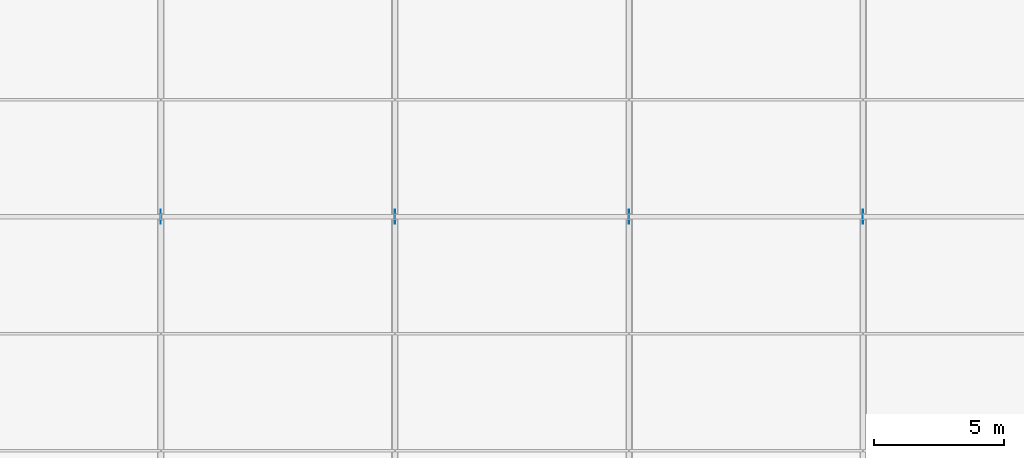
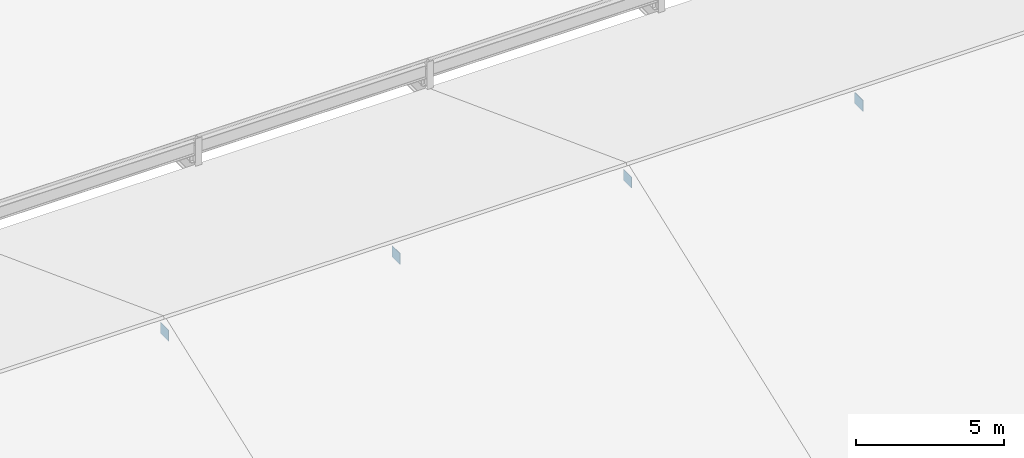
# One storey, part 121 of 163: 4 plates.
"""IFC4 building model written with IfcOpenShell, lengths in metres."""

from ifc_helpers import new_model, si_unit, direction, frame, origin, origin_2d, place, context, subcontext, project, spatial, rectangle, extrude, material, layer, layer_set, type_object, element, save


model = new_model("IFC4")

# Units and contexts
model_context = context("Model", 3, precision=1e-05, world=origin(), true_north=direction((0.0, 1.0)))
body_context = subcontext(model_context, "Body", "Model", "MODEL_VIEW")
ifc_project = project(units=[si_unit("LENGTHUNIT", "METRE"), si_unit("AREAUNIT", "SQUARE_METRE"), si_unit("VOLUMEUNIT", "CUBIC_METRE"), si_unit("PLANEANGLEUNIT", "RADIAN"), si_unit("MASSUNIT", "GRAM", prefix="KILO")], contexts=[model_context])

# Site, building, storey
site_placement = place(None, origin())
site = spatial("IfcSite", under=ifc_project, at=site_placement, CompositionType="ELEMENT")
building_placement = place(site_placement, origin())
building = spatial("IfcBuilding", under=site, at=building_placement, Name="Tharagai Park Tramway Depot", CompositionType="ELEMENT")
storey_placement = place(building_placement, frame((0.0, 0.0, 8.39990234375)))
storey = spatial("IfcBuildingStorey", under=building, at=storey_placement, Name="L02", CompositionType="ELEMENT", Elevation=8.39990234375)

# Plates
ifc_material = material(Name="Steel E350", Category="steel")
ifc_layer_1 = layer(ifc_material, 0.02392578125)
ifc_layer_set_1 = layer_set([ifc_layer_1], Name="Steel E350")
plate_type_1 = type_object("IfcPlateType", Name="GP-02", PredefinedType="SHEET", material=ifc_layer_set_1)
for number, where, z_axis, x_axis, name in (
    (1, (45.0, 76.5, 4.22119140625), (0.0, 0.0, 1.0), (1.0, 0.0, 0.0), "V2B Ridge Gusset Plate GP-02"),
    (2, (63.0, 76.5, 4.22119140625), (0.0, 0.0, 1.0), (1.0, 0.0, 0.0), "V2B Ridge Gusset Plate GP-02"),
):
    element("IfcPlate", number, at=place(storey_placement, frame(where, z_axis=z_axis, x_axis=x_axis)), inside=storey, type_object=plate_type_1, Name=name, PredefinedType="SHEET", context=body_context, shape_type="SweptSolid", body=[
        extrude(rectangle(XDim=0.02392578125, YDim=0.550048828125, at=origin_2d()), origin(), (0.0, 0.0, 1.0), 0.449951171875),
    ])
ifc_layer_2 = layer(ifc_material, 0.01611328125)
ifc_layer_set_2 = layer_set([ifc_layer_2], Name="Steel E350")
plate_type_2 = type_object("IfcPlateType", Name="GP-03", PredefinedType="SHEET", material=ifc_layer_set_2)
for number, where, z_axis, x_axis, name in (
    (3, (36.0, 76.5, 4.22119140625), (0.0, 0.0, 1.0), (1.0, 0.0, 0.0), "V2B Ridge Gusset Plate GP-03"),
    (4, (54.0, 76.5, 4.22119140625), (0.0, 0.0, 1.0), (1.0, 0.0, 0.0), "V2B Ridge Gusset Plate GP-03"),
):
    element("IfcPlate", number, at=place(storey_placement, frame(where, z_axis=z_axis, x_axis=x_axis)), inside=storey, type_object=plate_type_2, Name=name, PredefinedType="SHEET", context=body_context, shape_type="SweptSolid", body=[
        extrude(rectangle(XDim=0.01611328125, YDim=0.550048828125, at=origin_2d()), origin(), (0.0, 0.0, 1.0), 0.449951171875),
    ])

save(model, "model.ifc")
